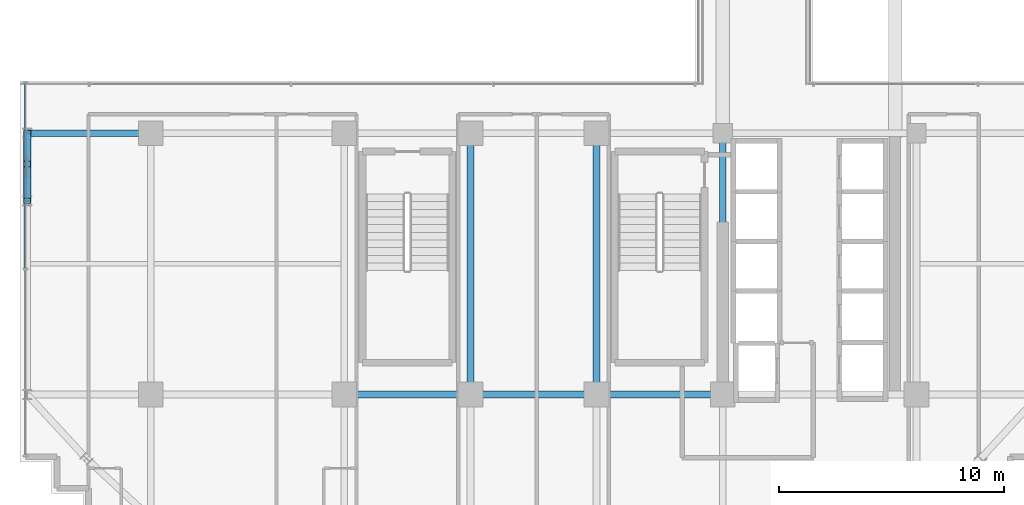
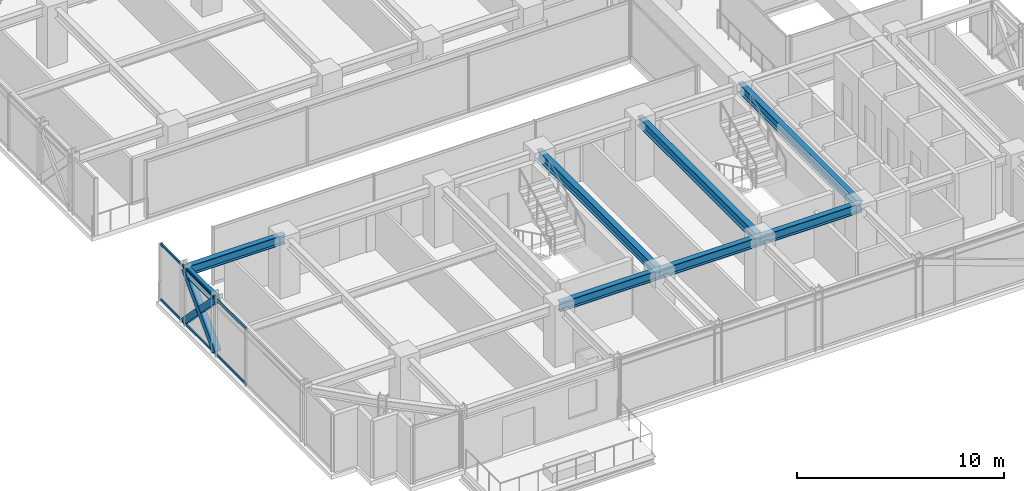
# One storey, part 6 of 38: 8 beams, 5 members, 1 element without a shape of its own.
"""IFC4 building model written with IfcOpenShell, lengths in metres."""

from ifc_helpers import new_model, si_unit, direction, frame, origin, origin_2d, place, context, subcontext, project, spatial, hollow_rectangle, i_section, extrude, source, transform, mapped, material, material_profile, profile_set, type_object, element, aggregate, save


model = new_model("IFC4")

# Units and contexts
model_context = context("Model", 3, precision=1e-05, world=origin(), true_north=direction((0.0, 1.0)))
body_context = subcontext(model_context, "Body", "Model", "MODEL_VIEW")
ifc_project = project(units=[si_unit("LENGTHUNIT", "METRE"), si_unit("AREAUNIT", "SQUARE_METRE"), si_unit("VOLUMEUNIT", "CUBIC_METRE"), si_unit("PLANEANGLEUNIT", "RADIAN"), si_unit("MASSUNIT", "GRAM", prefix="KILO")], contexts=[model_context])

# Site, building, storey
site_placement = place(None, origin())
site = spatial("IfcSite", under=ifc_project, at=site_placement, CompositionType="ELEMENT")
building_placement = place(site_placement, origin())
building = spatial("IfcBuilding", under=site, at=building_placement, Name="Nahalor Promenade Grand Hotel", CompositionType="ELEMENT")
storey_placement = place(building_placement, frame((0.0, 0.0, 178.199951171875)))
storey = spatial("IfcBuildingStorey", under=building, at=storey_placement, Name="L45", CompositionType="ELEMENT", Elevation=178.199951171875)

# Beams
ifc_material_1 = material(Name="Steel S355JR", Category="steel")
ifc_material_profile_1 = material_profile(ifc_material_1, i_section(OverallWidth=0.3, OverallDepth=0.55, WebThickness=0.015, FlangeThickness=0.029, at=origin_2d()), Name="HEB 550")
ifc_profile_set_1 = profile_set([ifc_material_profile_1], Name="Steel S355JR")
beam_type_1 = type_object("IfcBeamType", Name="Beam-Girder-HEB550", PredefinedType="BEAM", material=ifc_profile_set_1)
shared_shape_1 = source(origin(), body_context, "Body", "SweptSolid", [
    extrude(i_section(OverallWidth=0.3, OverallDepth=0.55, WebThickness=0.015, FlangeThickness=0.029, at=origin_2d()), origin(), (0.0, 0.0, 1.0), 5.599853515625),
])
for number, where, z_axis, x_axis, name in (
    (1, (-8.39990234375, -17.0, 3.114990234375), (1.0, 0.0, 0.0), (0.0, 1.0, 0.0), "BM-L45-GX-0-2"),
    (2, (2.800048828125, -17.0, 3.114990234375), (1.0, 0.0, 0.0), (0.0, 1.0, 0.0), "BM-L45-GX-0-4"),
):
    element("IfcBeam", number, at=place(storey_placement, frame(where, z_axis=z_axis, x_axis=x_axis)), inside=storey, type_object=beam_type_1, Name=name, PredefinedType="BEAM", context=body_context, shape_type="MappedRepresentation", body=[
        mapped(shared_shape_1, transform((0.0, 0.0, 0.0), scale=1.0)),
    ])
shared_shape_2 = source(origin(), body_context, "Body", "SweptSolid", [
    extrude(i_section(OverallWidth=0.3, OverallDepth=0.55, WebThickness=0.015, FlangeThickness=0.029, at=origin_2d()), origin(), (0.0, 0.0, 1.0), 5.60009765625),
])
beam_1_placement = place(storey_placement, frame((-2.800048828125, -17.0, 3.114990234375), z_axis=(1.0, 0.0, 0.0), x_axis=(0.0, 1.0, 0.0)))
element("IfcBeam", 3, at=beam_1_placement, inside=storey, type_object=beam_type_1, Name="BM-L45-GX-0-3", PredefinedType="BEAM", context=body_context, shape_type="MappedRepresentation", body=[
    mapped(shared_shape_2, transform((0.0, 0.0, 0.0), scale=1.0)),
])
shared_shape_3 = source(origin(), body_context, "Body", "SweptSolid", [
    extrude(i_section(OverallWidth=0.3, OverallDepth=0.55, WebThickness=0.015, FlangeThickness=0.029, at=origin_2d()), origin(), (0.0, 0.0, 1.0), 11.60009765625),
])
for number, where, z_axis, x_axis, name in (
    (4, (-2.800048828125, -17.0, 3.114990234375), (0.0, 1.0, 0.0), (-1.0, 0.0, 0.0), "BM-L45-GY-2-1"),
    (5, (2.800048828125, -17.0, 3.114990234375), (0.0, 1.0, 0.0), (-1.0, 0.0, 0.0), "BM-L45-GY-3-1"),
    (6, (8.39990234375, -17.0, 3.114990234375), (0.0, 1.0, 0.0), (-1.0, 0.0, 0.0), "BM-L45-GY-4-1"),
):
    element("IfcBeam", number, at=place(storey_placement, frame(where, z_axis=z_axis, x_axis=x_axis)), inside=storey, type_object=beam_type_1, Name=name, PredefinedType="BEAM", context=body_context, shape_type="MappedRepresentation", body=[
        mapped(shared_shape_3, transform((0.0, 0.0, 0.0), scale=1.0)),
    ])
shared_shape_4 = source(origin(), body_context, "Body", "SweptSolid", [
    extrude(i_section(OverallWidth=0.3, OverallDepth=0.55, WebThickness=0.015, FlangeThickness=0.029, at=origin_2d()), origin(), (0.0, 0.0, 1.0), 5.47998046875),
])
beam_2_placement = place(storey_placement, frame((-22.47998046875, -5.39990234375, 3.114990234375), z_axis=(1.0, 0.0, 0.0), x_axis=(0.0, 1.0, 0.0)))
element("IfcBeam", 7, at=beam_2_placement, inside=storey, type_object=beam_type_1, Name="BM-L45-GX-1-0", PredefinedType="BEAM", context=body_context, shape_type="MappedRepresentation", body=[
    mapped(shared_shape_4, transform((0.0, 0.0, 0.0), scale=1.0)),
])
ifc_material_profile_2 = material_profile(ifc_material_1, i_section(OverallWidth=0.3, OverallDepth=0.45, WebThickness=0.014, FlangeThickness=0.026, at=origin_2d()), Name="HEB 450")
ifc_profile_set_2 = profile_set([ifc_material_profile_2], Name="Steel S355JR")
beam_type_2 = type_object("IfcBeamType", Name="Beam-Spandrel-HEB450", PredefinedType="SPANDREL", material=ifc_profile_set_2)
shared_shape_5 = source(origin(), body_context, "Body", "SweptSolid", [
    extrude(i_section(OverallWidth=0.3, OverallDepth=0.45, WebThickness=0.014, FlangeThickness=0.026, at=origin_2d()), origin(), (0.0, 0.0, 1.0), 3.0),
])
beam_3_placement = place(storey_placement, frame((-22.47998046875, -8.39990234375, 3.1650390625), z_axis=(0.0, 1.0, 0.0), x_axis=(-1.0, 0.0, 0.0)))
element("IfcBeam", 8, at=beam_3_placement, inside=storey, type_object=beam_type_2, Name="BM-L45-SP-W-1", PredefinedType="SPANDREL", context=body_context, shape_type="MappedRepresentation", body=[
    mapped(shared_shape_5, transform((0.0, 0.0, 0.0), scale=1.0)),
])

# Members
ifc_material_profile_3 = material_profile(ifc_material_1, hollow_rectangle(XDim=0.35, YDim=0.35, WallThickness=0.02, at=origin_2d()), Name="SHS 350x350x20")
ifc_profile_set_3 = profile_set([ifc_material_profile_3], Name="Steel S355JR")
member_type_1 = type_object("IfcMemberType", Name="Mem-VoidBrace-SHS350", PredefinedType="BRACE", material=ifc_profile_set_3)
shared_shape_6 = source(origin(), body_context, "Body", "SweptSolid", [
    extrude(hollow_rectangle(XDim=0.35, YDim=0.35, WallThickness=0.02, at=origin_2d()), origin(), (0.0, 0.0, 1.0), 4.306640625),
])
member_1_placement = place(storey_placement, frame((-22.47998046875, -8.39990234375, 0.150146484375), z_axis=(0.0, 0.696598997639, 0.717460686371), x_axis=(-1.0, 0.0, 0.0)))
element("IfcMember", 9, at=member_1_placement, inside=storey, type_object=member_type_1, Name="EXO-L45-VX1-W0", PredefinedType="BRACE", context=body_context, shape_type="MappedRepresentation", body=[
    mapped(shared_shape_6, transform((0.0, 0.0, 0.0), scale=1.0)),
])
shared_shape_7 = source(origin(), body_context, "Body", "SweptSolid", [
    extrude(hollow_rectangle(XDim=0.35, YDim=0.35, WallThickness=0.02, at=origin_2d()), origin(), (0.0, 0.0, 1.0), 1.96630859375),
])
member_2_placement = place(storey_placement, frame((-22.47998046875, -5.39990234375, 0.150146484375), z_axis=(0.0, -0.696663391113, 0.71739815966), x_axis=(1.0, 0.0, 0.0)))
element("IfcMember", 10, at=member_2_placement, inside=storey, type_object=member_type_1, Name="EXO-L45-VX2-W0A", PredefinedType="BRACE", context=body_context, shape_type="MappedRepresentation", body=[
    mapped(shared_shape_7, transform((0.0, 0.0, 0.0), scale=1.0)),
])
shared_shape_8 = source(origin(), body_context, "Body", "SweptSolid", [
    extrude(hollow_rectangle(XDim=0.35, YDim=0.35, WallThickness=0.02, at=origin_2d()), origin(), (0.0, 0.0, 1.0), 1.966064453125),
])
member_3_placement = place(storey_placement, frame((-22.47998046875, -7.0302734375, 1.829345703125), z_axis=(0.0, -0.696599482471, 0.717460215636), x_axis=(1.0, 0.0, 0.0)))
element("IfcMember", 11, at=member_3_placement, inside=storey, type_object=member_type_1, Name="EXO-L45-VX2-W0B", PredefinedType="BRACE", context=body_context, shape_type="MappedRepresentation", body=[
    mapped(shared_shape_8, transform((0.0, 0.0, 0.0), scale=1.0)),
])

# Curtain wall, members
ifc_material_2 = material(Name="Anodised Bronze Aluminium EN AW-6063 T6", Category="aluminium")
curtain_wall_type = type_object("IfcCurtainWallType", Name="CW3 Elliptical-Void Collar Unitised Curtain Wall", PredefinedType="USERDEFINED", material=ifc_material_2)
curtain_wall_placement = place(storey_placement, origin())
curtain_wall = element("IfcCurtainWall", 12, at=curtain_wall_placement, inside=storey, type_object=curtain_wall_type, Name="L45 Curtain Wall CW-L45-W-1", ObjectType="UNITISED_CURTAIN_WALL", PredefinedType="USERDEFINED")
ifc_material_profile_4 = material_profile(ifc_material_2, hollow_rectangle(XDim=0.07, YDim=0.14, WallThickness=0.004, at=origin_2d()), Name="CWT 70x140x4")
ifc_profile_set_4 = profile_set([ifc_material_profile_4], Name="Anodised Bronze Aluminium EN AW-6063 T6")
member_type_2 = type_object("IfcMemberType", Name="CWT3 Void Collar Transom 70x140", PredefinedType="USERDEFINED", material=ifc_profile_set_4)
shared_shape_9 = source(origin(), body_context, "Body", "SweptSolid", [
    extrude(hollow_rectangle(XDim=0.07, YDim=0.14, WallThickness=0.004, at=origin_2d()), origin(), (0.0, 0.0, 1.0), 8.22509765625),
])
member_4_placement = place(storey_placement, frame((-22.56005859375, -11.39501953125, 0.070068359375), z_axis=(0.0, 1.0, 0.0), x_axis=(-1.0, 0.0, 0.0)))
member_4 = element("IfcMember", 13, at=member_4_placement, type_object=member_type_2, Name="CW-L45-W-1 Transom 1-0", ObjectType="TRANSOM", PredefinedType="USERDEFINED", context=body_context, shape_type="MappedRepresentation", body=[
    mapped(shared_shape_9, transform((0.0, 0.0, 0.0), scale=1.0)),
])
member_5_placement = place(storey_placement, frame((-22.56005859375, -11.39501953125, 3.320068359375), z_axis=(0.0, 1.0, 0.0), x_axis=(-1.0, 0.0, 0.0)))
member_5 = element("IfcMember", 14, at=member_5_placement, type_object=member_type_2, Name="CW-L45-W-1 Transom 1-1", ObjectType="TRANSOM", PredefinedType="USERDEFINED", context=body_context, shape_type="MappedRepresentation", body=[
    mapped(shared_shape_9, transform((0.0, 0.0, 0.0), scale=1.0)),
])
aggregate(curtain_wall, [member_4, member_5])

save(model, "model.ifc")
